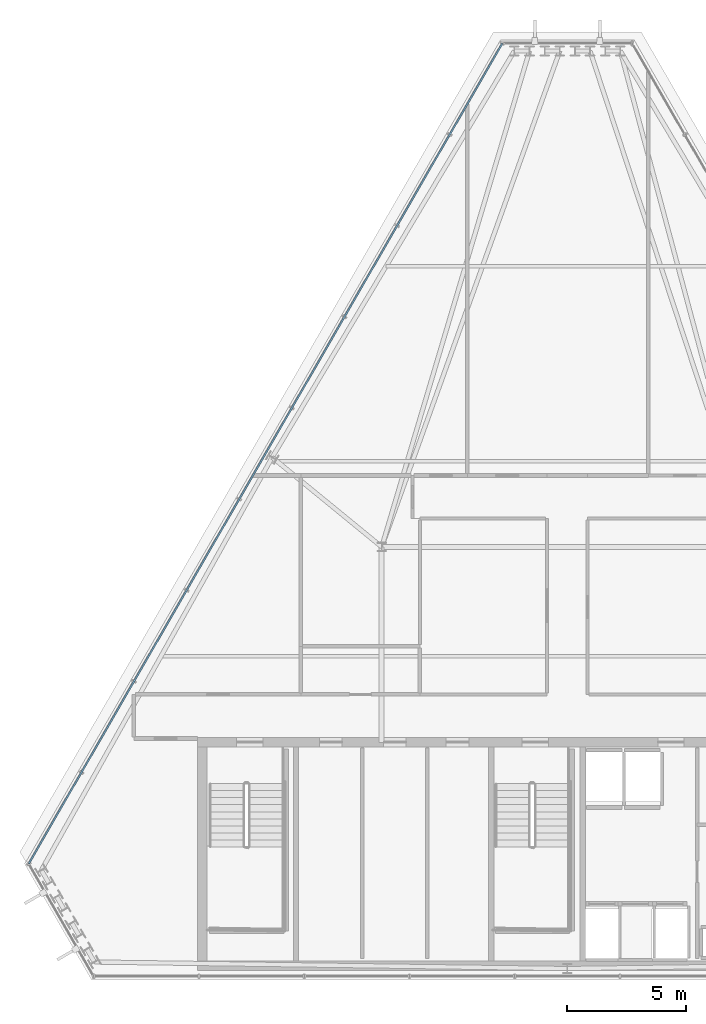
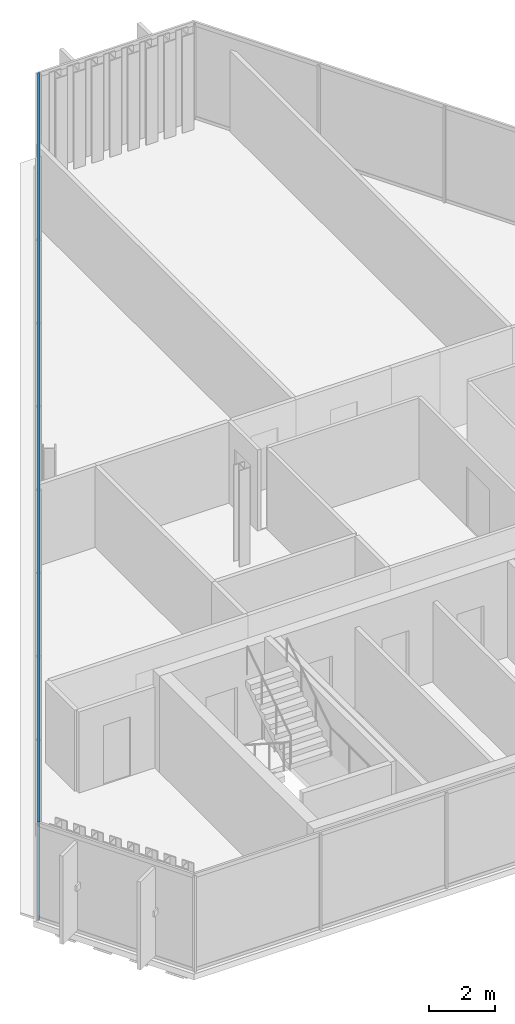
# One storey, part 13 of 34: 2 members, 1 element without a shape of its own.
"""IFC4 building model written with IfcOpenShell, lengths in metres."""

import ifcopenshell
import ifcopenshell.guid

model = None  # the IFC model being written
_history = None  # IfcOwnerHistory: only IFC2X3 demands one
_inside = {}  # id of a spatial element -> (the spatial element, [elements in it])
_under = {}  # id of a project, library or spatial element -> (it, [spatial elements below it])
_declared = {}  # id of a project -> (the project, [libraries it declares])
_typed = {}  # id of a type object -> (the type object, [elements of that type])
_made_of = {}  # id of a material, layer set ... -> (it, [elements and type objects made of it])


def new_model(schema):
    """Start an empty IFC model of exactly this schema.

    Asked for "IFC4X3", IfcOpenShell would pick the latest addendum, in which some entities
    have other attributes; the version numbers below select the first issue.
    IFC2X3 requires an IfcOwnerHistory on every rooted entity: one is made here for all.
    """
    global model, _history
    if schema == "IFC4X3":
        model = ifcopenshell.file(schema_version=(4, 3, 0, 0))
    else:
        model = ifcopenshell.file(schema=schema)
    _inside.clear()
    _under.clear()
    _declared.clear()
    _typed.clear()
    _made_of.clear()
    _history = None
    if model.schema == "IFC2X3":
        org = make("IfcOrganization", Name="unknown")
        user = make(
            "IfcPersonAndOrganization",
            ThePerson=make("IfcPerson", FamilyName="unknown"),
            TheOrganization=org,
        )
        app = make(
            "IfcApplication",
            ApplicationDeveloper=org,
            Version="unknown",
            ApplicationFullName="unknown",
            ApplicationIdentifier="unknown",
        )
        _history = make(
            "IfcOwnerHistory",
            OwningUser=user,
            OwningApplication=app,
            ChangeAction="ADDED",
            CreationDate=0,
        )
    return model


def make(cls, **values):
    """One entity of the class cls with the attributes given. An attribute that is None is left unset."""
    return model.create_entity(
        cls, **{name: value for name, value in values.items() if value is not None}
    )


def rooted(cls, **values):
    """An entity with a GlobalId (a new one), such as an element, a storey or a relation."""
    return make(cls, GlobalId=ifcopenshell.guid.new(), OwnerHistory=_history, **values)


def si_unit(unit_type, name, prefix=None):
    """IfcSIUnit, for example si_unit("LENGTHUNIT", "METRE", prefix="MILLI")."""
    return make("IfcSIUnit", UnitType=unit_type, Prefix=prefix, Name=name)


def assignment(units):
    """IfcUnitAssignment: the units of a project."""
    return None if units is None else make("IfcUnitAssignment", Units=units)


def point(xyz):
    """IfcCartesianPoint."""
    return None if xyz is None else make("IfcCartesianPoint", Coordinates=xyz)


def direction(xyz):
    """IfcDirection."""
    return None if xyz is None else make("IfcDirection", DirectionRatios=xyz)


def frame(location, z_axis=None, x_axis=None):
    """IfcAxis2Placement3D, a coordinate frame: its origin and axes. An axis left out is left unset."""
    return make(
        "IfcAxis2Placement3D",
        Location=point(location),
        Axis=direction(z_axis),
        RefDirection=direction(x_axis),
    )


def frame_2d(location, x_axis=None):
    """IfcAxis2Placement2D, a coordinate frame in the plane: its origin and x axis."""
    return make(
        "IfcAxis2Placement2D", Location=point(location), RefDirection=direction(x_axis)
    )


def origin():
    """The frame at (0, 0, 0) with its axes left unset."""
    return frame((0.0, 0.0, 0.0))


def origin_2d():
    """The frame at (0, 0) in the plane with its x axis left unset."""
    return frame_2d((0.0, 0.0))


def place(relative_to, where):
    """IfcLocalPlacement: puts the frame where relative to a parent placement (None: the world)."""
    return make(
        "IfcLocalPlacement", PlacementRelTo=relative_to, RelativePlacement=where
    )


def context(
    kind, dimensions, precision=None, world=None, true_north=None, identifier=None
):
    """IfcGeometricRepresentationContext, for example the 3D "Model" context."""
    return make(
        "IfcGeometricRepresentationContext",
        ContextIdentifier=identifier,
        ContextType=kind,
        CoordinateSpaceDimension=dimensions,
        Precision=precision,
        WorldCoordinateSystem=world,
        TrueNorth=true_north,
    )


def subcontext(parent, identifier, kind, view, scale=None):
    """IfcGeometricRepresentationSubContext, for example "Body" below "Model"."""
    return make(
        "IfcGeometricRepresentationSubContext",
        ContextIdentifier=identifier,
        ContextType=kind,
        ParentContext=parent,
        TargetScale=scale,
        TargetView=view,
    )


def project(units=None, contexts=None):
    """IfcProject with its units and contexts."""
    return rooted(
        "IfcProject",
        Name="project",
        RepresentationContexts=contexts,
        UnitsInContext=assignment(units),
    )


def spatial(cls, under=None, at=None, **own):
    """A site, building, storey or space (cls), placed at a placement, below another one or the project."""
    s = rooted(cls, ObjectPlacement=at, **own)
    if under is not None:
        _under.setdefault(under.id(), (under, []))[1].append(s)
    return s


def profile(cls, at=None, kind="AREA", **sizes):
    """A parametric profile (cls). Its sizes go by their IFC names, for example OverallWidth=200.0."""
    return make(cls, ProfileType=kind, Position=at, **sizes)


def hollow_rectangle(**sizes):
    """IfcRectangleHollowProfileDef."""
    return profile("IfcRectangleHollowProfileDef", **sizes)


def extrude(swept, where, along, depth):
    """IfcExtrudedAreaSolid: the profile swept, set in the frame where, extruded along a direction by depth."""
    return make(
        "IfcExtrudedAreaSolid",
        SweptArea=swept,
        Position=where,
        ExtrudedDirection=direction(along),
        Depth=depth,
    )


def shape(context_of_items, identifier, shape_type, items):
    """IfcShapeRepresentation: the items that make up one representation, for example the "Body"."""
    return make(
        "IfcShapeRepresentation",
        ContextOfItems=context_of_items,
        RepresentationIdentifier=identifier,
        RepresentationType=shape_type,
        Items=items,
    )


def material(Name=None, Category=None):
    """IfcMaterial."""
    return make("IfcMaterial", Name=Name, Category=Category)


def layer(
    of_material, thickness, ventilated=None, Name=None, Category=None, Priority=None
):
    """IfcMaterialLayer: one layer of a wall or slab, of a material (None: an air gap)."""
    return make(
        "IfcMaterialLayer",
        Material=of_material,
        LayerThickness=thickness,
        IsVentilated=ventilated,
        Name=Name,
        Category=Category,
        Priority=Priority,
    )


def layer_set(layers, Name=None):
    """IfcMaterialLayerSet."""
    return make("IfcMaterialLayerSet", MaterialLayers=layers, LayerSetName=Name)


def material_profile(
    of_material, cross_section, Name=None, Category=None, Priority=None
):
    """IfcMaterialProfile: a cross section and its material."""
    return make(
        "IfcMaterialProfile",
        Name=Name,
        Material=of_material,
        Profile=cross_section,
        Priority=Priority,
        Category=Category,
    )


def profile_set(profiles, Name=None, composite=None):
    """IfcMaterialProfileSet."""
    return make(
        "IfcMaterialProfileSet",
        Name=Name,
        MaterialProfiles=profiles,
        CompositeProfile=composite,
    )


def made_of(thing, what):
    """Note that an element or type object is made of a material, layer set ...; save() writes the relation."""
    if what is not None:
        _made_of.setdefault(what.id(), (what, []))[1].append(thing)
    return thing


def type_object(cls, material=None, **own):
    """A type object (cls), such as IfcWallType, which elements share."""
    return made_of(rooted(cls, **own), material)


def element(
    cls,
    number,
    at=None,
    inside=None,
    cuts=None,
    type_object=None,
    material=None,
    context=None,
    identifier="Body",
    shape_type=None,
    held_by="IfcProductDefinitionShape",
    body=None,
    shapes=None,
    **own,
):
    """One element of the class cls, such as IfcWall. Its Tag is "e" and its number.

    at: its placement. inside: the storey or other place that contains it. cuts: it is an
    opening in that element (IfcRelVoidsElement). A single representation is given by context,
    identifier, shape_type and body (its items); several are given by shapes. held_by: the class
    of the entity that holds the representations. save() writes the other relations.
    """
    e = rooted(cls, Tag="e%d" % number, ObjectPlacement=at, **own)
    if body is not None:
        shapes = [shape(context, identifier, shape_type, body)]
    if shapes is not None:
        e.Representation = make(held_by, Representations=shapes)
    if inside is not None:
        _inside.setdefault(inside.id(), (inside, []))[1].append(e)
    if cuts is not None:
        rooted(
            "IfcRelVoidsElement", RelatingBuildingElement=cuts, RelatedOpeningElement=e
        )
    if type_object is not None:
        _typed.setdefault(type_object.id(), (type_object, []))[1].append(e)
    return made_of(e, material)


def aggregate(whole, parts):
    """IfcRelAggregates: a whole, such as a stair, and the parts it consists of."""
    return rooted("IfcRelAggregates", RelatingObject=whole, RelatedObjects=parts)


def save(model, path):
    """Write the relations noted so far, then the file.

    IfcRelAggregates (storeys below a building ...), IfcRelContainedInSpatialStructure (elements
    in a storey), IfcRelDefinesByType, IfcRelAssociatesMaterial and IfcRelDeclares: one each for
    every whole, place, type object, material and project.
    """
    for whole, parts in _under.values():
        aggregate(whole, parts)
    for where, things in _inside.values():
        rooted(
            "IfcRelContainedInSpatialStructure",
            RelatedElements=things,
            RelatingStructure=where,
        )
    for kind, things in _typed.values():
        rooted("IfcRelDefinesByType", RelatedObjects=things, RelatingType=kind)
    for what, things in _made_of.values():
        rooted("IfcRelAssociatesMaterial", RelatedObjects=things, RelatingMaterial=what)
    for by, libraries in _declared.values():
        rooted("IfcRelDeclares", RelatingContext=by, RelatedDefinitions=libraries)
    model.write(path)


model = new_model("IFC4")

# Units and contexts
model_context = context("Model", 3, precision=1e-05, world=origin(), true_north=direction((0.0, 1.0)))
body_context = subcontext(model_context, "Body", "Model", "MODEL_VIEW")
ifc_project = project(units=[si_unit("LENGTHUNIT", "METRE"), si_unit("AREAUNIT", "SQUARE_METRE"), si_unit("VOLUMEUNIT", "CUBIC_METRE"), si_unit("PLANEANGLEUNIT", "RADIAN"), si_unit("MASSUNIT", "GRAM", prefix="KILO")], contexts=[model_context])

# Site, building, storey
site_placement = place(None, origin())
site = spatial("IfcSite", under=ifc_project, at=site_placement, CompositionType="ELEMENT")
building_placement = place(site_placement, origin())
building = spatial("IfcBuilding", under=site, at=building_placement, Name="Ndaravel Arena Tower", CompositionType="ELEMENT")
storey_placement = place(building_placement, frame((0.0, 0.0, 263.60009765625)))
storey = spatial("IfcBuildingStorey", under=building, at=storey_placement, Name="L64", CompositionType="ELEMENT", Elevation=263.60009765625)

# Curtain wall, members
ifc_material_1 = material(Name="Aluminium", Category="aluminium")
ifc_layer = layer(ifc_material_1, 0.179931640625)
ifc_layer_set = layer_set([ifc_layer], Name="Aluminium")
curtain_wall_type = type_object("IfcCurtainWallType", Name="CW-SYS-03", PredefinedType="NOTDEFINED", material=ifc_layer_set)
curtain_wall_placement = place(storey_placement, origin())
curtain_wall = element("IfcCurtainWall", 1, at=curtain_wall_placement, inside=storey, type_object=curtain_wall_type, Name="L64 Faceted Crystal Curtain Wall CW-L64-E05", PredefinedType="NOTDEFINED")
ifc_material_2 = material(Name="Aluminium", Category="aluminium")
ifc_material_profile = material_profile(ifc_material_2, hollow_rectangle(XDim=0.074951171875, YDim=0.14990234375, WallThickness=0.00390625, at=origin_2d()), Name="CW TRANSOM 75x150x4")
ifc_profile_set = profile_set([ifc_material_profile], Name="Aluminium")
member_type = type_object("IfcMemberType", Name="MEM-CW-TRN150", PredefinedType="USERDEFINED", material=ifc_profile_set)
member_1_placement = place(storey_placement, frame((39.269775390625, 44.3583984375, 0.039794921875), z_axis=(-0.499998378553, -0.866026339926, 0.0), x_axis=(0.866026339926, -0.499998378553, 0.0)))
member_1 = element("IfcMember", 2, at=member_1_placement, type_object=member_type, Name="CW-L64-E05 Transom 01", ObjectType="TRANSOM", PredefinedType="USERDEFINED", context=body_context, shape_type="SweptSolid", body=[
    extrude(hollow_rectangle(XDim=0.074951171875, YDim=0.14990234375, WallThickness=0.00390625, at=origin_2d()), origin(), (0.0, 0.0, 1.0), 39.802001953125),
])
member_2_placement = place(storey_placement, frame((39.269775390625, 44.3583984375, 3.539794921875), z_axis=(-0.499998378553, -0.866026339926, 0.0), x_axis=(0.866026339926, -0.499998378553, 0.0)))
member_2 = element("IfcMember", 3, at=member_2_placement, type_object=member_type, Name="CW-L64-E05 Transom 02", ObjectType="TRANSOM", PredefinedType="USERDEFINED", context=body_context, shape_type="SweptSolid", body=[
    extrude(hollow_rectangle(XDim=0.074951171875, YDim=0.14990234375, WallThickness=0.00390625, at=origin_2d()), origin(), (0.0, 0.0, 1.0), 39.802001953125),
])
aggregate(curtain_wall, [member_1, member_2])

save(model, "model.ifc")
